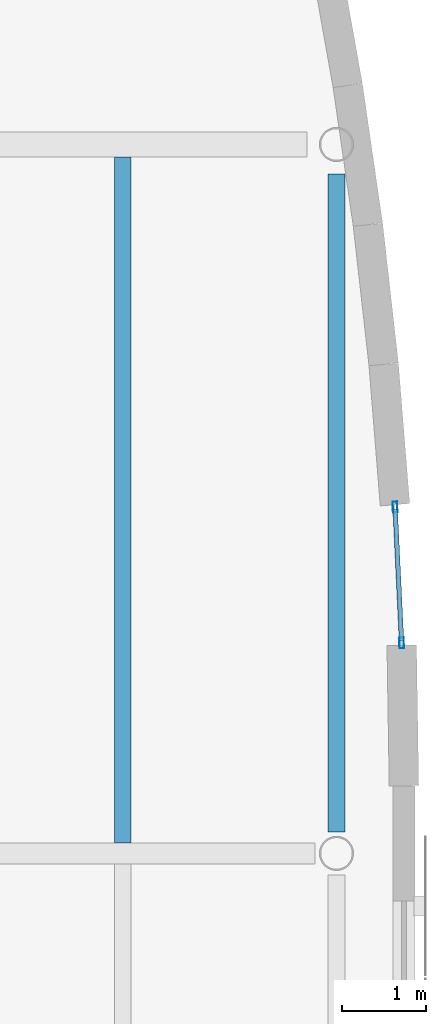
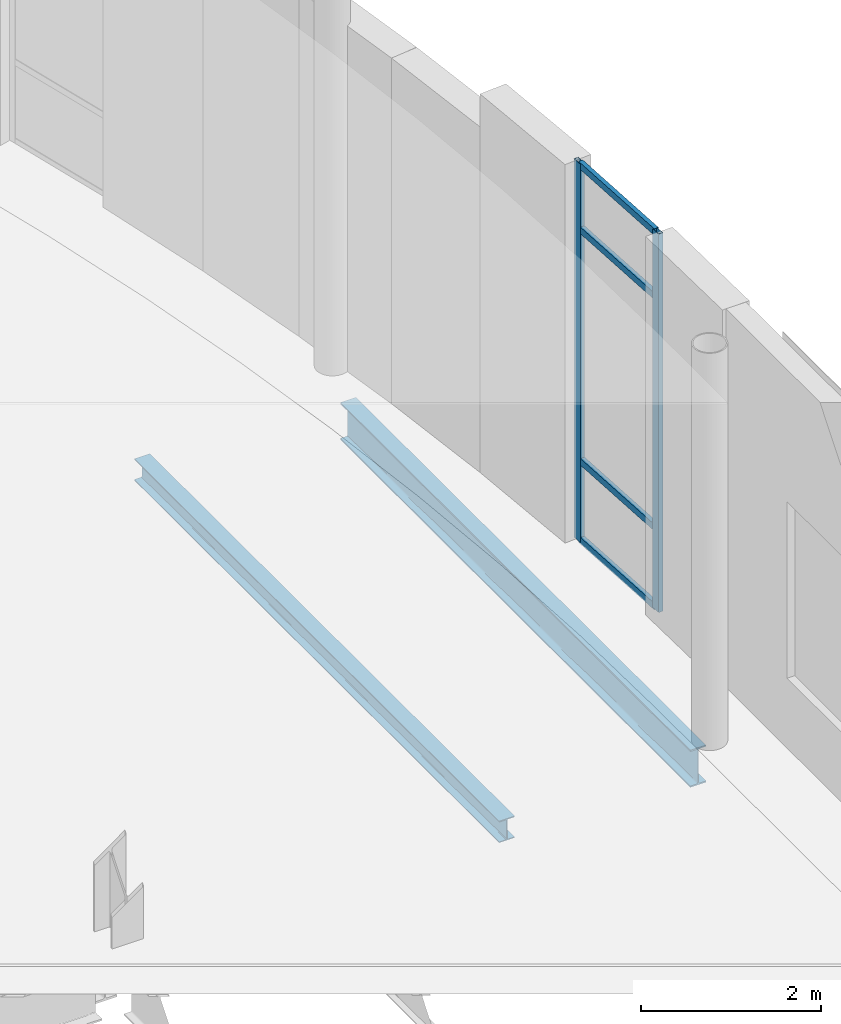
# One storey, part 46 of 110: 6 members, 2 beams, 1 element without a shape of its own.
"""IFC4 building model written with IfcOpenShell, lengths in metres."""

import ifcopenshell
import ifcopenshell.guid

model = None  # the IFC model being written
_history = None  # IfcOwnerHistory: only IFC2X3 demands one
_inside = {}  # id of a spatial element -> (the spatial element, [elements in it])
_under = {}  # id of a project, library or spatial element -> (it, [spatial elements below it])
_declared = {}  # id of a project -> (the project, [libraries it declares])
_typed = {}  # id of a type object -> (the type object, [elements of that type])
_made_of = {}  # id of a material, layer set ... -> (it, [elements and type objects made of it])


def new_model(schema):
    """Start an empty IFC model of exactly this schema.

    Asked for "IFC4X3", IfcOpenShell would pick the latest addendum, in which some entities
    have other attributes; the version numbers below select the first issue.
    IFC2X3 requires an IfcOwnerHistory on every rooted entity: one is made here for all.
    """
    global model, _history
    if schema == "IFC4X3":
        model = ifcopenshell.file(schema_version=(4, 3, 0, 0))
    else:
        model = ifcopenshell.file(schema=schema)
    _inside.clear()
    _under.clear()
    _declared.clear()
    _typed.clear()
    _made_of.clear()
    _history = None
    if model.schema == "IFC2X3":
        org = make("IfcOrganization", Name="unknown")
        user = make(
            "IfcPersonAndOrganization",
            ThePerson=make("IfcPerson", FamilyName="unknown"),
            TheOrganization=org,
        )
        app = make(
            "IfcApplication",
            ApplicationDeveloper=org,
            Version="unknown",
            ApplicationFullName="unknown",
            ApplicationIdentifier="unknown",
        )
        _history = make(
            "IfcOwnerHistory",
            OwningUser=user,
            OwningApplication=app,
            ChangeAction="ADDED",
            CreationDate=0,
        )
    return model


def make(cls, **values):
    """One entity of the class cls with the attributes given. An attribute that is None is left unset."""
    return model.create_entity(
        cls, **{name: value for name, value in values.items() if value is not None}
    )


def rooted(cls, **values):
    """An entity with a GlobalId (a new one), such as an element, a storey or a relation."""
    return make(cls, GlobalId=ifcopenshell.guid.new(), OwnerHistory=_history, **values)


def si_unit(unit_type, name, prefix=None):
    """IfcSIUnit, for example si_unit("LENGTHUNIT", "METRE", prefix="MILLI")."""
    return make("IfcSIUnit", UnitType=unit_type, Prefix=prefix, Name=name)


def assignment(units):
    """IfcUnitAssignment: the units of a project."""
    return None if units is None else make("IfcUnitAssignment", Units=units)


def point(xyz):
    """IfcCartesianPoint."""
    return None if xyz is None else make("IfcCartesianPoint", Coordinates=xyz)


def direction(xyz):
    """IfcDirection."""
    return None if xyz is None else make("IfcDirection", DirectionRatios=xyz)


def frame(location, z_axis=None, x_axis=None):
    """IfcAxis2Placement3D, a coordinate frame: its origin and axes. An axis left out is left unset."""
    return make(
        "IfcAxis2Placement3D",
        Location=point(location),
        Axis=direction(z_axis),
        RefDirection=direction(x_axis),
    )


def frame_2d(location, x_axis=None):
    """IfcAxis2Placement2D, a coordinate frame in the plane: its origin and x axis."""
    return make(
        "IfcAxis2Placement2D", Location=point(location), RefDirection=direction(x_axis)
    )


def origin():
    """The frame at (0, 0, 0) with its axes left unset."""
    return frame((0.0, 0.0, 0.0))


def origin_2d():
    """The frame at (0, 0) in the plane with its x axis left unset."""
    return frame_2d((0.0, 0.0))


def place(relative_to, where):
    """IfcLocalPlacement: puts the frame where relative to a parent placement (None: the world)."""
    return make(
        "IfcLocalPlacement", PlacementRelTo=relative_to, RelativePlacement=where
    )


def context(
    kind, dimensions, precision=None, world=None, true_north=None, identifier=None
):
    """IfcGeometricRepresentationContext, for example the 3D "Model" context."""
    return make(
        "IfcGeometricRepresentationContext",
        ContextIdentifier=identifier,
        ContextType=kind,
        CoordinateSpaceDimension=dimensions,
        Precision=precision,
        WorldCoordinateSystem=world,
        TrueNorth=true_north,
    )


def subcontext(parent, identifier, kind, view, scale=None):
    """IfcGeometricRepresentationSubContext, for example "Body" below "Model"."""
    return make(
        "IfcGeometricRepresentationSubContext",
        ContextIdentifier=identifier,
        ContextType=kind,
        ParentContext=parent,
        TargetScale=scale,
        TargetView=view,
    )


def project(units=None, contexts=None):
    """IfcProject with its units and contexts."""
    return rooted(
        "IfcProject",
        Name="project",
        RepresentationContexts=contexts,
        UnitsInContext=assignment(units),
    )


def spatial(cls, under=None, at=None, **own):
    """A site, building, storey or space (cls), placed at a placement, below another one or the project."""
    s = rooted(cls, ObjectPlacement=at, **own)
    if under is not None:
        _under.setdefault(under.id(), (under, []))[1].append(s)
    return s


def profile(cls, at=None, kind="AREA", **sizes):
    """A parametric profile (cls). Its sizes go by their IFC names, for example OverallWidth=200.0."""
    return make(cls, ProfileType=kind, Position=at, **sizes)


def hollow_rectangle(**sizes):
    """IfcRectangleHollowProfileDef."""
    return profile("IfcRectangleHollowProfileDef", **sizes)


def i_section(**sizes):
    """IfcIShapeProfileDef."""
    return profile("IfcIShapeProfileDef", **sizes)


def extrude(swept, where, along, depth):
    """IfcExtrudedAreaSolid: the profile swept, set in the frame where, extruded along a direction by depth."""
    return make(
        "IfcExtrudedAreaSolid",
        SweptArea=swept,
        Position=where,
        ExtrudedDirection=direction(along),
        Depth=depth,
    )


def shape(context_of_items, identifier, shape_type, items):
    """IfcShapeRepresentation: the items that make up one representation, for example the "Body"."""
    return make(
        "IfcShapeRepresentation",
        ContextOfItems=context_of_items,
        RepresentationIdentifier=identifier,
        RepresentationType=shape_type,
        Items=items,
    )


def material(Name=None, Category=None):
    """IfcMaterial."""
    return make("IfcMaterial", Name=Name, Category=Category)


def layer(
    of_material, thickness, ventilated=None, Name=None, Category=None, Priority=None
):
    """IfcMaterialLayer: one layer of a wall or slab, of a material (None: an air gap)."""
    return make(
        "IfcMaterialLayer",
        Material=of_material,
        LayerThickness=thickness,
        IsVentilated=ventilated,
        Name=Name,
        Category=Category,
        Priority=Priority,
    )


def layer_set(layers, Name=None):
    """IfcMaterialLayerSet."""
    return make("IfcMaterialLayerSet", MaterialLayers=layers, LayerSetName=Name)


def material_profile(
    of_material, cross_section, Name=None, Category=None, Priority=None
):
    """IfcMaterialProfile: a cross section and its material."""
    return make(
        "IfcMaterialProfile",
        Name=Name,
        Material=of_material,
        Profile=cross_section,
        Priority=Priority,
        Category=Category,
    )


def profile_set(profiles, Name=None, composite=None):
    """IfcMaterialProfileSet."""
    return make(
        "IfcMaterialProfileSet",
        Name=Name,
        MaterialProfiles=profiles,
        CompositeProfile=composite,
    )


def made_of(thing, what):
    """Note that an element or type object is made of a material, layer set ...; save() writes the relation."""
    if what is not None:
        _made_of.setdefault(what.id(), (what, []))[1].append(thing)
    return thing


def type_object(cls, material=None, **own):
    """A type object (cls), such as IfcWallType, which elements share."""
    return made_of(rooted(cls, **own), material)


def element(
    cls,
    number,
    at=None,
    inside=None,
    cuts=None,
    type_object=None,
    material=None,
    context=None,
    identifier="Body",
    shape_type=None,
    held_by="IfcProductDefinitionShape",
    body=None,
    shapes=None,
    **own,
):
    """One element of the class cls, such as IfcWall. Its Tag is "e" and its number.

    at: its placement. inside: the storey or other place that contains it. cuts: it is an
    opening in that element (IfcRelVoidsElement). A single representation is given by context,
    identifier, shape_type and body (its items); several are given by shapes. held_by: the class
    of the entity that holds the representations. save() writes the other relations.
    """
    e = rooted(cls, Tag="e%d" % number, ObjectPlacement=at, **own)
    if body is not None:
        shapes = [shape(context, identifier, shape_type, body)]
    if shapes is not None:
        e.Representation = make(held_by, Representations=shapes)
    if inside is not None:
        _inside.setdefault(inside.id(), (inside, []))[1].append(e)
    if cuts is not None:
        rooted(
            "IfcRelVoidsElement", RelatingBuildingElement=cuts, RelatedOpeningElement=e
        )
    if type_object is not None:
        _typed.setdefault(type_object.id(), (type_object, []))[1].append(e)
    return made_of(e, material)


def aggregate(whole, parts):
    """IfcRelAggregates: a whole, such as a stair, and the parts it consists of."""
    return rooted("IfcRelAggregates", RelatingObject=whole, RelatedObjects=parts)


def save(model, path):
    """Write the relations noted so far, then the file.

    IfcRelAggregates (storeys below a building ...), IfcRelContainedInSpatialStructure (elements
    in a storey), IfcRelDefinesByType, IfcRelAssociatesMaterial and IfcRelDeclares: one each for
    every whole, place, type object, material and project.
    """
    for whole, parts in _under.values():
        aggregate(whole, parts)
    for where, things in _inside.values():
        rooted(
            "IfcRelContainedInSpatialStructure",
            RelatedElements=things,
            RelatingStructure=where,
        )
    for kind, things in _typed.values():
        rooted("IfcRelDefinesByType", RelatedObjects=things, RelatingType=kind)
    for what, things in _made_of.values():
        rooted("IfcRelAssociatesMaterial", RelatedObjects=things, RelatingMaterial=what)
    for by, libraries in _declared.values():
        rooted("IfcRelDeclares", RelatingContext=by, RelatedDefinitions=libraries)
    model.write(path)


model = new_model("IFC4")

# Units and contexts
model_context = context("Model", 3, precision=1e-05, world=origin(), true_north=direction((0.0, 1.0)))
body_context = subcontext(model_context, "Body", "Model", "MODEL_VIEW")
ifc_project = project(units=[si_unit("LENGTHUNIT", "METRE"), si_unit("AREAUNIT", "SQUARE_METRE"), si_unit("VOLUMEUNIT", "CUBIC_METRE"), si_unit("PLANEANGLEUNIT", "RADIAN"), si_unit("MASSUNIT", "GRAM", prefix="KILO"), si_unit("THERMODYNAMICTEMPERATUREUNIT", "KELVIN")], contexts=[model_context])

# Site, building, storey
site_placement = place(None, origin())
site = spatial("IfcSite", under=ifc_project, at=site_placement, CompositionType="ELEMENT")
building_placement = place(site_placement, origin())
building = spatial("IfcBuilding", under=site, at=building_placement, Name="Lustrewick Department Store", CompositionType="ELEMENT")
storey_placement = place(building_placement, frame((0.0, 0.0, 6.0)))
storey = spatial("IfcBuildingStorey", under=building, at=storey_placement, Name="L02", CompositionType="ELEMENT", Elevation=6.0)

# Beam
ifc_material_1 = material(Name="Structural steel Q355B", Category="steel")
ifc_material_profile_1 = material_profile(ifc_material_1, i_section(OverallWidth=0.199951171875, OverallDepth=0.2939453125, WebThickness=0.008056640625, FlangeThickness=0.011962890625, FilletRadius=0.013916015625, at=origin_2d()), Name="HM 294x200x8x12")
ifc_profile_set_1 = profile_set([ifc_material_profile_1], Name="Structural steel Q355B")
beam_type_1 = type_object("IfcBeamType", Name="B13", PredefinedType="JOIST", material=ifc_profile_set_1)
beam_1_placement = place(storey_placement, frame((164.666748046875, 58.925048828125, -0.402099609375), z_axis=(0.0, 1.0, 0.0), x_axis=(-1.0, 0.0, 0.0)))
element("IfcBeam", 1, at=beam_1_placement, inside=storey, type_object=beam_type_1, Name="L02 V4 Secondary Joist B13", PredefinedType="JOIST", context=body_context, shape_type="SweptSolid", body=[
    extrude(i_section(OverallWidth=0.199951171875, OverallDepth=0.2939453125, WebThickness=0.008056640625, FlangeThickness=0.011962890625, FilletRadius=0.013916015625, at=origin_2d()), origin(), (0.0, 0.0, 1.0), 8.125),
])

# Curtain wall, members
ifc_material_2 = material(Name="Thermally broken aluminium 6063-T5", Category="aluminium")
ifc_layer = layer(ifc_material_2, 0.1298828125, Name="Thermally broken aluminium 6063-T5")
ifc_layer_set = layer_set([ifc_layer], Name="Thermally broken aluminium 6063-T5")
curtain_wall_type = type_object("IfcCurtainWallType", Name="CW07", PredefinedType="NOTDEFINED", material=ifc_layer_set)
curtain_wall_placement = place(storey_placement, origin())
curtain_wall = element("IfcCurtainWall", 2, at=curtain_wall_placement, inside=storey, type_object=curtain_wall_type, Name="L02 V4 Curtain Wall CW07", PredefinedType="NOTDEFINED")
ifc_material_profile_2 = material_profile(ifc_material_2, hollow_rectangle(XDim=0.054931640625, YDim=0.1298828125, WallThickness=0.00341796875, at=origin_2d()), Name="ALU-M 55x130x3.5")
ifc_profile_set_2 = profile_set([ifc_material_profile_2], Name="Thermally broken aluminium 6063-T5")
member_type_1 = type_object("IfcMemberType", Name="CW07-M1", PredefinedType="MULLION", material=ifc_profile_set_2)
member_1_placement = place(storey_placement, frame((167.971923828125, 61.294189453125, 0.0), z_axis=(0.0, 0.0, 1.0), x_axis=(-0.998844809751, -0.048052534093, 0.0)))
member_1 = element("IfcMember", 3, at=member_1_placement, type_object=member_type_1, Name="CW07 mullion 1", PredefinedType="MULLION", context=body_context, shape_type="SweptSolid", body=[
    extrude(hollow_rectangle(XDim=0.054931640625, YDim=0.1298828125, WallThickness=0.00341796875, at=origin_2d()), origin(), (0.0, 0.0, 1.0), 5.14501953125),
])
member_2_placement = place(storey_placement, frame((167.89453125, 62.904296875, 0.0), z_axis=(0.0, 0.0, 1.0), x_axis=(-0.998844809751, -0.048052534093, 0.0)))
member_2 = element("IfcMember", 4, at=member_2_placement, type_object=member_type_1, Name="CW07 mullion 2", PredefinedType="MULLION", context=body_context, shape_type="SweptSolid", body=[
    extrude(hollow_rectangle(XDim=0.054931640625, YDim=0.1298828125, WallThickness=0.00341796875, at=origin_2d()), origin(), (0.0, 0.0, 1.0), 5.14501953125),
])
ifc_material_profile_3 = material_profile(ifc_material_2, hollow_rectangle(XDim=0.054931640625, YDim=0.090087890625, WallThickness=0.0029296875, at=origin_2d()), Name="ALU-T 55x90x3")
ifc_profile_set_3 = profile_set([ifc_material_profile_3], Name="Thermally broken aluminium 6063-T5")
member_type_2 = type_object("IfcMemberType", Name="CW07-T1", PredefinedType="USERDEFINED", material=ifc_profile_set_3)
member_3_placement = place(storey_placement, frame((167.970703125, 61.321533203125, 0.027587890625), z_axis=(-0.048138788311, 0.998840656491, 0.0), x_axis=(-0.998840656491, -0.048138788311, 0.0)))
member_3 = element("IfcMember", 5, at=member_3_placement, type_object=member_type_2, Name="CW07 transom 1.1", ObjectType="TRANSOM", PredefinedType="USERDEFINED", context=body_context, shape_type="SweptSolid", body=[
    extrude(hollow_rectangle(XDim=0.054931640625, YDim=0.090087890625, WallThickness=0.0029296875, at=origin_2d()), origin(), (0.0, 0.0, 1.0), 1.556884765625),
])
member_4_placement = place(storey_placement, frame((167.970703125, 61.321533203125, 1.10009765625), z_axis=(-0.048138788311, 0.998840656491, 0.0), x_axis=(-0.998840656491, -0.048138788311, 0.0)))
member_4 = element("IfcMember", 6, at=member_4_placement, type_object=member_type_2, Name="CW07 transom 1.2", ObjectType="TRANSOM", PredefinedType="USERDEFINED", context=body_context, shape_type="SweptSolid", body=[
    extrude(hollow_rectangle(XDim=0.054931640625, YDim=0.090087890625, WallThickness=0.0029296875, at=origin_2d()), origin(), (0.0, 0.0, 1.0), 1.556884765625),
])
member_5_placement = place(storey_placement, frame((167.970703125, 61.321533203125, 4.2451171875), z_axis=(-0.048138788311, 0.998840656491, 0.0), x_axis=(-0.998840656491, -0.048138788311, 0.0)))
member_5 = element("IfcMember", 7, at=member_5_placement, type_object=member_type_2, Name="CW07 transom 1.3", ObjectType="TRANSOM", PredefinedType="USERDEFINED", context=body_context, shape_type="SweptSolid", body=[
    extrude(hollow_rectangle(XDim=0.054931640625, YDim=0.090087890625, WallThickness=0.0029296875, at=origin_2d()), origin(), (0.0, 0.0, 1.0), 1.556884765625),
])
member_6_placement = place(storey_placement, frame((167.970703125, 61.321533203125, 5.117431640625), z_axis=(-0.048138788311, 0.998840656491, 0.0), x_axis=(-0.998840656491, -0.048138788311, 0.0)))
member_6 = element("IfcMember", 8, at=member_6_placement, type_object=member_type_2, Name="CW07 transom 1.4", ObjectType="TRANSOM", PredefinedType="USERDEFINED", context=body_context, shape_type="SweptSolid", body=[
    extrude(hollow_rectangle(XDim=0.054931640625, YDim=0.090087890625, WallThickness=0.0029296875, at=origin_2d()), origin(), (0.0, 0.0, 1.0), 1.556884765625),
])
aggregate(curtain_wall, [member_1, member_2, member_3, member_4, member_5, member_6])

# Beam
ifc_material_profile_4 = material_profile(ifc_material_1, i_section(OverallWidth=0.200927734375, OverallDepth=0.506103515625, WebThickness=0.010986328125, FlangeThickness=0.01904296875, FilletRadius=0.01611328125, at=origin_2d()), Name="HN 506x201x11x19")
ifc_profile_set_4 = profile_set([ifc_material_profile_4], Name="Structural steel Q355B")
beam_type_2 = type_object("IfcBeamType", Name="SP01", PredefinedType="SPANDREL", material=ifc_profile_set_4)
beam_2_placement = place(storey_placement, frame((167.199951171875, 59.053955078125, -0.508056640625), z_axis=(0.0, 1.0, 0.0), x_axis=(-1.0, 0.0, 0.0)))
element("IfcBeam", 9, at=beam_2_placement, inside=storey, type_object=beam_type_2, Name="L02 V4 Girder SP01", PredefinedType="SPANDREL", context=body_context, shape_type="SweptSolid", body=[
    extrude(i_section(OverallWidth=0.200927734375, OverallDepth=0.506103515625, WebThickness=0.010986328125, FlangeThickness=0.01904296875, FilletRadius=0.01611328125, at=origin_2d()), origin(), (0.0, 0.0, 1.0), 7.796142578125),
])

save(model, "model.ifc")
